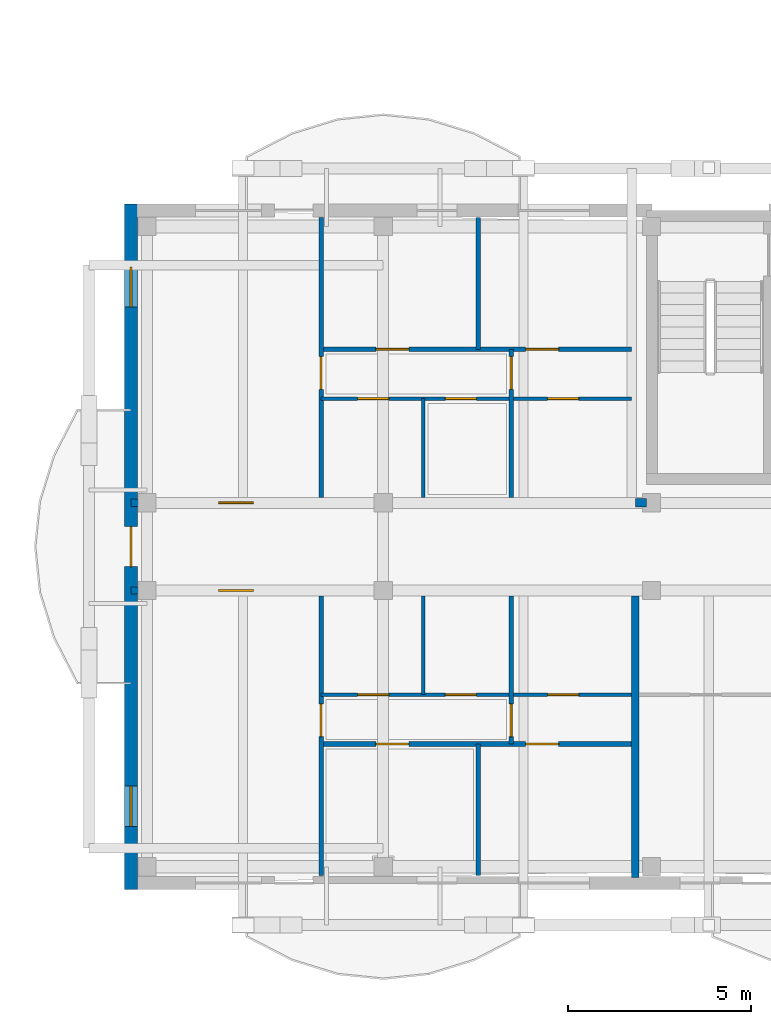
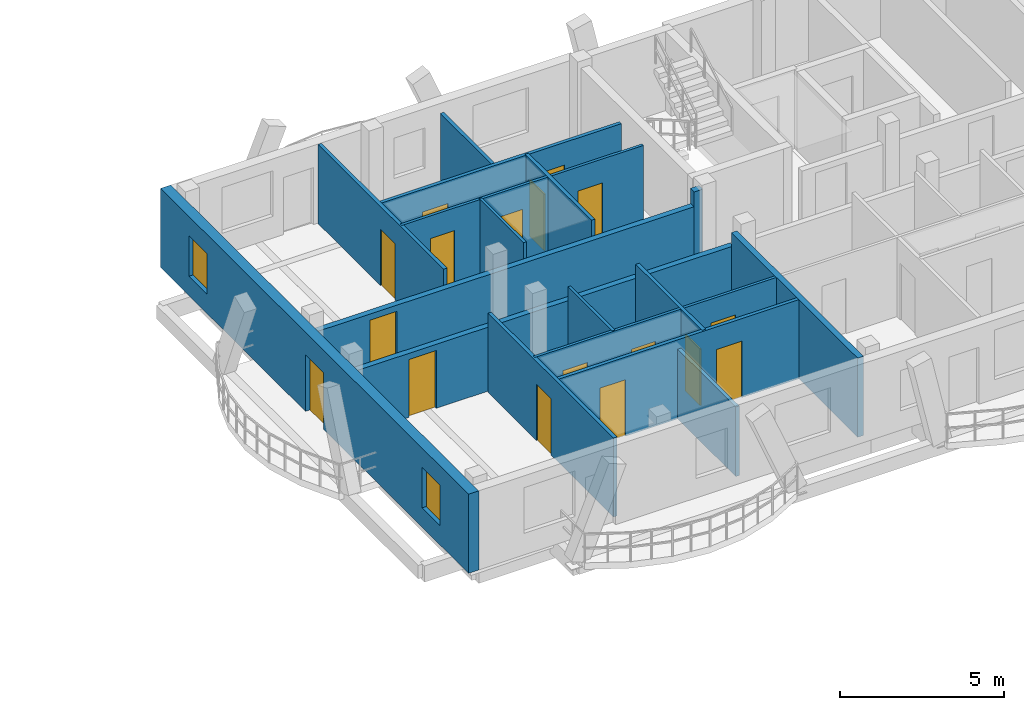
# One storey, part 22 of 50: 17 doors, 17 walls, 2 windows, 19 openings.
"""IFC4 building model written with IfcOpenShell, lengths in metres."""

from ifc_helpers import new_model, si_unit, direction, frame, frame_2d, origin, origin_with_axes, place, context, subcontext, project, spatial, rectangle, extrude, material, layer, layer_set, type_object, element, fill, save


model = new_model("IFC4")

# Units and contexts
model_context = context("Model", 3, precision=1e-05, world=origin(), true_north=direction((0.0, 1.0)))
body_context = subcontext(model_context, "Body", "Model", "MODEL_VIEW")
ifc_project = project(units=[si_unit("LENGTHUNIT", "METRE"), si_unit("AREAUNIT", "SQUARE_METRE"), si_unit("VOLUMEUNIT", "CUBIC_METRE"), si_unit("PLANEANGLEUNIT", "RADIAN"), si_unit("MASSUNIT", "GRAM", prefix="KILO")], contexts=[model_context])

# Site, building, storey
site_placement = place(None, origin())
site = spatial("IfcSite", under=ifc_project, at=site_placement, CompositionType="ELEMENT")
building_placement = place(site_placement, origin())
building = spatial("IfcBuilding", under=site, at=building_placement, Name="Zavelmont Quarter", CompositionType="ELEMENT")
storey_placement = place(building_placement, frame((0.0, 0.0, 11.199951171875)))
storey = spatial("IfcBuildingStorey", under=building, at=storey_placement, Name="L03", CompositionType="ELEMENT", Elevation=11.199951171875)

# Wall, openings, door, windows
ifc_material_1 = material(Name="Natural Belgian limestone", Category="masonry")
ifc_layer_1 = layer(ifc_material_1, 0.360107421875)
ifc_layer_set_1 = layer_set([ifc_layer_1], Name="Natural Belgian limestone")
wall_type_1 = type_object("IfcWallType", Name="EW02", PredefinedType="STANDARD", material=ifc_layer_set_1)
wall_1_placement = place(storey_placement, frame((112.800048828125, -0.179931640625, 0.0), z_axis=(0.0, 0.0, 1.0), x_axis=(0.0, 1.0, 0.0)))
wall_1 = element("IfcWall", 1, at=wall_1_placement, inside=storey, type_object=wall_type_1, Name="L03 exterior limestone wall EW02", PredefinedType="STANDARD", context=body_context, shape_type="SweptSolid", body=[
    extrude(rectangle(XDim=18.760009765625, YDim=0.360107421875, at=frame_2d((9.3798828125, 0.0))), origin(), (0.0, 0.0, 1.0), 2.93994140625),
])
opening_1_placement = place(wall_1_placement, frame((8.830078125, 0.0, 0.0)))
opening_1 = element("IfcOpeningElement", 2, at=opening_1_placement, cuts=wall_1, Name="Opening DR04B", PredefinedType="OPENING", context=body_context, shape_type="SweptSolid", body=[
    extrude(rectangle(XDim=1.10009765625, YDim=2.10009765625, at=frame_2d((0.550048828125, 1.050048828125))), frame((0.0, 0.19189453125, 0.0), z_axis=(0.0, -1.0, 0.0), x_axis=(1.0, 0.0, 0.0)), (0.0, 0.0, 1.0), 0.384033203125),
])
opening_2_placement = place(wall_1_placement, frame((1.72998046875, 0.0, 0.719970703125)))
opening_2 = element("IfcOpeningElement", 3, at=opening_2_placement, cuts=wall_1, Name="Opening WN09", PredefinedType="OPENING", context=body_context, shape_type="SweptSolid", body=[
    extrude(rectangle(XDim=1.10009765625, YDim=1.5, at=frame_2d((0.550048828125, 0.75))), frame((0.0, 0.19189453125, 0.0), z_axis=(0.0, -1.0, 0.0), x_axis=(1.0, 0.0, 0.0)), (0.0, 0.0, 1.0), 0.384033203125),
])
opening_3_placement = place(wall_1_placement, frame((15.929931640625, 0.0, 0.719970703125)))
opening_3 = element("IfcOpeningElement", 4, at=opening_3_placement, cuts=wall_1, Name="Opening WN09", PredefinedType="OPENING", context=body_context, shape_type="SweptSolid", body=[
    extrude(rectangle(XDim=1.10009765625, YDim=1.5, at=frame_2d((0.550048828125, 0.75))), frame((0.0, 0.19189453125, 0.0), z_axis=(0.0, -1.0, 0.0), x_axis=(1.0, 0.0, 0.0)), (0.0, 0.0, 1.0), 0.384033203125),
])
ifc_material_2 = material(Name="Thermally broken aluminium and double safety glass", Category="aluminium")
door_type_1 = type_object("IfcDoorType", Name="DR04B", OperationType="NOTDEFINED", PredefinedType="DOOR", material=ifc_material_2)
door_1_placement = place(opening_1_placement, frame((1.10009765625, 0.0, 0.0), z_axis=(0.0, 0.0, 1.0), x_axis=(-1.0, 0.0, 0.0)))
door_1 = element("IfcDoor", 5, at=door_1_placement, inside=storey, type_object=door_type_1, Name="Block D L03 terrace or vase balcony door", OperationType="SINGLE_SWING_RIGHT", OverallHeight=2.10009765625, OverallWidth=1.10009765625, PredefinedType="DOOR", context=body_context, shape_type="SweptSolid", body=[
    extrude(rectangle(XDim=1.10009765625, YDim=2.10009765625, at=frame_2d((0.550048828125, 1.050048828125))), frame((0.0, 0.02490234375, 0.0), z_axis=(0.0, -1.0, 0.0), x_axis=(1.0, 0.0, 0.0)), (0.0, 0.0, 1.0), 0.050048828125),
])
fill(opening_1, door_1)
ifc_material_3 = material(Name="Double low-E insulated glazing in thermally broken aluminium frame", Category="aluminium")
window_type = type_object("IfcWindowType", Name="WN09", PartitioningType="SINGLE_PANEL", PredefinedType="WINDOW", material=ifc_material_3)
window_1_placement = place(opening_2_placement, origin_with_axes())
window_1 = element("IfcWindow", 6, at=window_1_placement, inside=storey, type_object=window_type, Name="L03 window WN09", OverallHeight=1.5, OverallWidth=1.10009765625, PartitioningType="SINGLE_PANEL", PredefinedType="WINDOW", context=body_context, shape_type="SweptSolid", body=[
    extrude(rectangle(XDim=1.10009765625, YDim=1.5, at=frame_2d((0.550048828125, 0.75))), frame((0.0, 0.030029296875, 0.0), z_axis=(0.0, -1.0, 0.0), x_axis=(1.0, 0.0, 0.0)), (0.0, 0.0, 1.0), 0.06005859375),
])
fill(opening_2, window_1)
window_2_placement = place(opening_3_placement, origin_with_axes())
window_2 = element("IfcWindow", 7, at=window_2_placement, inside=storey, type_object=window_type, Name="L03 window WN09", OverallHeight=1.5, OverallWidth=1.10009765625, PartitioningType="SINGLE_PANEL", PredefinedType="WINDOW", context=body_context, shape_type="SweptSolid", body=[
    extrude(rectangle(XDim=1.10009765625, YDim=1.5, at=frame_2d((0.550048828125, 0.75))), frame((0.0, 0.030029296875, 0.0), z_axis=(0.0, -1.0, 0.0), x_axis=(1.0, 0.0, 0.0)), (0.0, 0.0, 1.0), 0.06005859375),
])
fill(opening_3, window_2)

# Wall
ifc_material_4 = material(Name="Calcium-silicate blockwork and acoustic plaster", Category="masonry")
ifc_layer_2 = layer(ifc_material_4, 0.199951171875)
ifc_layer_set_2 = layer_set([ifc_layer_2], Name="Calcium-silicate blockwork and acoustic plaster")
wall_type_2 = type_object("IfcWallType", Name="IW01", PredefinedType="PARTITIONING", material=ifc_layer_set_2)
wall_2_placement = place(storey_placement, frame((126.60009765625, 7.85009765625, 0.0), z_axis=(0.0, 0.0, 1.0), x_axis=(0.0, -1.0, 0.0)))
element("IfcWall", 8, at=wall_2_placement, inside=storey, type_object=wall_type_2, Name="L03 Inter-dwelling compartment wall IW01", PredefinedType="PARTITIONING", context=body_context, shape_type="SweptSolid", body=[
    extrude(rectangle(XDim=7.7001953125, YDim=0.199951171875, at=frame_2d((3.85009765625, 0.0))), origin(), (0.0, 0.0, 1.0), 2.93994140625),
])

# Wall, opening, door
wall_3_placement = place(storey_placement, frame((112.800048828125, 8.0, 0.0), z_axis=(0.0, 0.0, 1.0), x_axis=(1.0, 0.0, 0.0)))
wall_3 = element("IfcWall", 9, at=wall_3_placement, inside=storey, type_object=wall_type_2, Name="L03 Corridor compartment wall IW01", PredefinedType="PARTITIONING", context=body_context, shape_type="SweptSolid", body=[
    extrude(rectangle(XDim=13.800048828125, YDim=0.199951171875, at=frame_2d((6.89990234375, 0.0))), origin(), (0.0, 0.0, 1.0), 2.380126953125),
])
opening_4_placement = place(wall_3_placement, frame((2.39990234375, 0.0, 0.0)))
opening_4 = element("IfcOpeningElement", 10, at=opening_4_placement, cuts=wall_3, Name="Opening DR02", PredefinedType="OPENING", context=body_context, shape_type="SweptSolid", body=[
    extrude(rectangle(XDim=0.949951171875, YDim=2.14990234375, at=frame_2d((0.47509765625, 1.074951171875))), frame((0.0, 0.11181640625, 0.0), z_axis=(0.0, -1.0, 0.0), x_axis=(1.0, 0.0, 0.0)), (0.0, 0.0, 1.0), 0.223876953125),
])
ifc_material_5 = material(Name="Solid-core oak fire leaf in steel frame", Category="steel")
door_type_2 = type_object("IfcDoorType", Name="DR02", OperationType="NOTDEFINED", PredefinedType="DOOR", material=ifc_material_5)
door_2_placement = place(opening_4_placement, frame((0.949951171875, 0.0, 0.0), z_axis=(0.0, 0.0, 1.0), x_axis=(-1.0, 0.0, 0.0)))
door_2 = element("IfcDoor", 11, at=door_2_placement, inside=storey, type_object=door_type_2, Name="L03 door DR02", OperationType="SINGLE_SWING_LEFT", OverallHeight=2.14990234375, OverallWidth=0.949951171875, PredefinedType="DOOR", context=body_context, shape_type="SweptSolid", body=[
    extrude(rectangle(XDim=0.949951171875, YDim=2.14990234375, at=frame_2d((0.47509765625, 1.074951171875))), frame((0.0, 0.02490234375, 0.0), z_axis=(0.0, -1.0, 0.0), x_axis=(1.0, 0.0, 0.0)), (0.0, 0.0, 1.0), 0.050048828125),
])
fill(opening_4, door_2)

wall_4_placement = place(storey_placement, frame((112.800048828125, 10.39990234375, 0.0), z_axis=(0.0, 0.0, 1.0), x_axis=(1.0, 0.0, 0.0)))
wall_4 = element("IfcWall", 12, at=wall_4_placement, inside=storey, type_object=wall_type_2, Name="L03 Corridor compartment wall IW01", PredefinedType="PARTITIONING", context=body_context, shape_type="SweptSolid", body=[
    extrude(rectangle(XDim=13.800048828125, YDim=0.199951171875, at=frame_2d((6.89990234375, 0.0))), origin(), (0.0, 0.0, 1.0), 2.380126953125),
])
opening_5_placement = place(wall_4_placement, frame((2.39990234375, 0.0, 0.0)))
opening_5 = element("IfcOpeningElement", 13, at=opening_5_placement, cuts=wall_4, Name="Opening DR02", PredefinedType="OPENING", context=body_context, shape_type="SweptSolid", body=[
    extrude(rectangle(XDim=0.949951171875, YDim=2.14990234375, at=frame_2d((0.47509765625, 1.074951171875))), frame((0.0, 0.11181640625, 0.0), z_axis=(0.0, -1.0, 0.0), x_axis=(1.0, 0.0, 0.0)), (0.0, 0.0, 1.0), 0.223876953125),
])
door_3_placement = place(opening_5_placement, origin_with_axes())
door_3 = element("IfcDoor", 14, at=door_3_placement, inside=storey, type_object=door_type_2, Name="L03 door DR02", OperationType="SINGLE_SWING_RIGHT", OverallHeight=2.14990234375, OverallWidth=0.949951171875, PredefinedType="DOOR", context=body_context, shape_type="SweptSolid", body=[
    extrude(rectangle(XDim=0.949951171875, YDim=2.14990234375, at=frame_2d((0.47509765625, 1.074951171875))), frame((0.0, 0.02490234375, 0.0), z_axis=(0.0, -1.0, 0.0), x_axis=(1.0, 0.0, 0.0)), (0.0, 0.0, 1.0), 0.050048828125),
])
fill(opening_5, door_3)

# Wall
ifc_material_6 = material(Name="Reinforced masonry fire compartment wall", Category="masonry")
ifc_layer_3 = layer(ifc_material_6, 0.22509765625)
ifc_layer_set_3 = layer_set([ifc_layer_3], Name="Reinforced masonry fire compartment wall")
wall_type_3 = type_object("IfcWallType", Name="IW02", PredefinedType="PARTITIONING", material=ifc_layer_set_3)
wall_5_placement = place(storey_placement, frame((126.60009765625, 10.39990234375, 0.0), z_axis=(0.0, 0.0, 1.0), x_axis=(1.0, 0.0, 0.0)))
element("IfcWall", 15, at=wall_5_placement, inside=storey, type_object=wall_type_3, Name="L03 Core corridor wall IW02", PredefinedType="PARTITIONING", context=body_context, shape_type="SweptSolid", body=[
    extrude(rectangle(XDim=0.2998046875, YDim=0.22509765625, at=frame_2d((0.14990234375, 0.0))), origin(), (0.0, 0.0, 1.0), 2.93994140625),
])

# Wall, opening, door
ifc_material_7 = material(Name="Double gypsum board on acoustic steel stud", Category="steel")
ifc_layer_4 = layer(ifc_material_7, 0.125)
ifc_layer_set_4 = layer_set([ifc_layer_4], Name="Double gypsum board on acoustic steel stud")
wall_type_4 = type_object("IfcWallType", Name="IW03", PredefinedType="PARTITIONING", material=ifc_layer_set_4)
wall_6_placement = place(storey_placement, frame((118.0, 7.85009765625, 0.0), z_axis=(0.0, 0.0, 1.0), x_axis=(0.0, -1.0, 0.0)))
wall_6 = element("IfcWall", 16, at=wall_6_placement, inside=storey, type_object=wall_type_4, Name="L03 Partition IW03", PredefinedType="PARTITIONING", context=body_context, shape_type="SweptSolid", body=[
    extrude(rectangle(XDim=7.650146484375, YDim=0.125, at=frame_2d((3.8251953125, 0.0))), origin(), (0.0, 0.0, 1.0), 2.93994140625),
])
opening_6_placement = place(wall_6_placement, frame((2.949951171875, 0.0, 0.0)))
opening_6 = element("IfcOpeningElement", 17, at=opening_6_placement, cuts=wall_6, Name="Opening DR05", PredefinedType="OPENING", context=body_context, shape_type="SweptSolid", body=[
    extrude(rectangle(XDim=0.89990234375, YDim=2.10009765625, at=frame_2d((0.449951171875, 1.050048828125))), frame((0.0, 0.074462890625, 0.0), z_axis=(0.0, -1.0, 0.0), x_axis=(1.0, 0.0, 0.0)), (0.0, 0.0, 1.0), 0.14892578125),
])
ifc_material_8 = material(Name="Engineered oak flush interior door")
door_type_3 = type_object("IfcDoorType", Name="DR05", OperationType="NOTDEFINED", PredefinedType="DOOR", material=ifc_material_8)
door_4_placement = place(opening_6_placement, frame((0.89990234375, 0.0, 0.0), z_axis=(0.0, 0.0, 1.0), x_axis=(-1.0, 0.0, 0.0)))
door_4 = element("IfcDoor", 18, at=door_4_placement, inside=storey, type_object=door_type_3, Name="L03 door DR05", OperationType="SINGLE_SWING_LEFT", OverallHeight=2.10009765625, OverallWidth=0.89990234375, PredefinedType="DOOR", context=body_context, shape_type="SweptSolid", body=[
    extrude(rectangle(XDim=0.89990234375, YDim=2.10009765625, at=frame_2d((0.449951171875, 1.050048828125))), frame((0.0, 0.02490234375, 0.0), z_axis=(0.0, -1.0, 0.0), x_axis=(1.0, 0.0, 0.0)), (0.0, 0.0, 1.0), 0.050048828125),
])
fill(opening_6, door_4)

wall_7_placement = place(storey_placement, frame((123.199951171875, 7.85009765625, 0.0), z_axis=(0.0, 0.0, 1.0), x_axis=(0.0, -1.0, 0.0)))
wall_7 = element("IfcWall", 19, at=wall_7_placement, inside=storey, type_object=wall_type_4, Name="L03 Partition IW03", PredefinedType="PARTITIONING", context=body_context, shape_type="SweptSolid", body=[
    extrude(rectangle(XDim=4.050048828125, YDim=0.125, at=frame_2d((2.02490234375, 0.0))), origin(), (0.0, 0.0, 1.0), 2.93994140625),
])
opening_7_placement = place(wall_7_placement, frame((2.949951171875, 0.0, 0.0)))
opening_7 = element("IfcOpeningElement", 20, at=opening_7_placement, cuts=wall_7, Name="Opening DR05", PredefinedType="OPENING", context=body_context, shape_type="SweptSolid", body=[
    extrude(rectangle(XDim=0.89990234375, YDim=2.10009765625, at=frame_2d((0.449951171875, 1.050048828125))), frame((0.0, 0.074462890625, 0.0), z_axis=(0.0, -1.0, 0.0), x_axis=(1.0, 0.0, 0.0)), (0.0, 0.0, 1.0), 0.14892578125),
])
door_5_placement = place(opening_7_placement, origin_with_axes())
door_5 = element("IfcDoor", 21, at=door_5_placement, inside=storey, type_object=door_type_3, Name="L03 door DR05", OperationType="SINGLE_SWING_RIGHT", OverallHeight=2.10009765625, OverallWidth=0.89990234375, PredefinedType="DOOR", context=body_context, shape_type="SweptSolid", body=[
    extrude(rectangle(XDim=0.89990234375, YDim=2.10009765625, at=frame_2d((0.449951171875, 1.050048828125))), frame((0.0, 0.02490234375, 0.0), z_axis=(0.0, -1.0, 0.0), x_axis=(1.0, 0.0, 0.0)), (0.0, 0.0, 1.0), 0.050048828125),
])
fill(opening_7, door_5)

# Wall
wall_8_placement = place(storey_placement, frame((122.300048828125, 3.800048828125, 0.0), z_axis=(0.0, 0.0, 1.0), x_axis=(0.0, -1.0, 0.0)))
element("IfcWall", 22, at=wall_8_placement, inside=storey, type_object=wall_type_4, Name="L03 Partition IW03", PredefinedType="PARTITIONING", context=body_context, shape_type="SweptSolid", body=[
    extrude(rectangle(XDim=3.60009765625, YDim=0.125, at=frame_2d((1.800048828125, 0.0))), origin(), (0.0, 0.0, 1.0), 2.590087890625),
])

# Wall, openings, doors
wall_9_placement = place(storey_placement, frame((118.0, 3.800048828125, 0.0), z_axis=(0.0, 0.0, 1.0), x_axis=(1.0, 0.0, 0.0)))
wall_9 = element("IfcWall", 23, at=wall_9_placement, inside=storey, type_object=wall_type_4, Name="L03 Partition IW03", PredefinedType="PARTITIONING", context=body_context, shape_type="SweptSolid", body=[
    extrude(rectangle(XDim=8.5, YDim=0.125, at=frame_2d((4.25, 0.0))), origin(), (0.0, 0.0, 1.0), 2.93994140625),
])
opening_8_placement = place(wall_9_placement, frame((1.5, 0.0, 0.0)))
opening_8 = element("IfcOpeningElement", 24, at=opening_8_placement, cuts=wall_9, Name="Opening DR05", PredefinedType="OPENING", context=body_context, shape_type="SweptSolid", body=[
    extrude(rectangle(XDim=0.89990234375, YDim=2.10009765625, at=frame_2d((0.449951171875, 1.050048828125))), frame((0.0, 0.074462890625, 0.0), z_axis=(0.0, -1.0, 0.0), x_axis=(1.0, 0.0, 0.0)), (0.0, 0.0, 1.0), 0.14892578125),
])
opening_9_placement = place(wall_9_placement, frame((5.60009765625, 0.0, 0.0)))
opening_9 = element("IfcOpeningElement", 25, at=opening_9_placement, cuts=wall_9, Name="Opening DR05", PredefinedType="OPENING", context=body_context, shape_type="SweptSolid", body=[
    extrude(rectangle(XDim=0.89990234375, YDim=2.10009765625, at=frame_2d((0.449951171875, 1.050048828125))), frame((0.0, 0.074462890625, 0.0), z_axis=(0.0, -1.0, 0.0), x_axis=(1.0, 0.0, 0.0)), (0.0, 0.0, 1.0), 0.14892578125),
])
door_6_placement = place(opening_8_placement, origin_with_axes())
door_6 = element("IfcDoor", 26, at=door_6_placement, inside=storey, type_object=door_type_3, Name="L03 door DR05", OperationType="SINGLE_SWING_RIGHT", OverallHeight=2.10009765625, OverallWidth=0.89990234375, PredefinedType="DOOR", context=body_context, shape_type="SweptSolid", body=[
    extrude(rectangle(XDim=0.89990234375, YDim=2.10009765625, at=frame_2d((0.449951171875, 1.050048828125))), frame((0.0, 0.02490234375, 0.0), z_axis=(0.0, -1.0, 0.0), x_axis=(1.0, 0.0, 0.0)), (0.0, 0.0, 1.0), 0.050048828125),
])
fill(opening_8, door_6)
door_7_placement = place(opening_9_placement, frame((0.89990234375, 0.0, 0.0), z_axis=(0.0, 0.0, 1.0), x_axis=(-1.0, 0.0, 0.0)))
door_7 = element("IfcDoor", 27, at=door_7_placement, inside=storey, type_object=door_type_3, Name="L03 door DR05", OperationType="SINGLE_SWING_LEFT", OverallHeight=2.10009765625, OverallWidth=0.89990234375, PredefinedType="DOOR", context=body_context, shape_type="SweptSolid", body=[
    extrude(rectangle(XDim=0.89990234375, YDim=2.10009765625, at=frame_2d((0.449951171875, 1.050048828125))), frame((0.0, 0.02490234375, 0.0), z_axis=(0.0, -1.0, 0.0), x_axis=(1.0, 0.0, 0.0)), (0.0, 0.0, 1.0), 0.050048828125),
])
fill(opening_9, door_7)

# Wall, opening, door
wall_10_placement = place(storey_placement, frame((118.0, 10.550048828125, 0.0), z_axis=(0.0, 0.0, 1.0), x_axis=(0.0, 1.0, 0.0)))
wall_10 = element("IfcWall", 28, at=wall_10_placement, inside=storey, type_object=wall_type_4, Name="L03 Partition IW03", PredefinedType="PARTITIONING", context=body_context, shape_type="SweptSolid", body=[
    extrude(rectangle(XDim=7.64990234375, YDim=0.125, at=frame_2d((3.824951171875, 0.0))), origin(), (0.0, 0.0, 1.0), 2.93994140625),
])
opening_10_placement = place(wall_10_placement, frame((2.949951171875, 0.0, 0.0)))
opening_10 = element("IfcOpeningElement", 29, at=opening_10_placement, cuts=wall_10, Name="Opening DR05", PredefinedType="OPENING", context=body_context, shape_type="SweptSolid", body=[
    extrude(rectangle(XDim=0.89990234375, YDim=2.10009765625, at=frame_2d((0.449951171875, 1.050048828125))), frame((0.0, 0.074462890625, 0.0), z_axis=(0.0, -1.0, 0.0), x_axis=(1.0, 0.0, 0.0)), (0.0, 0.0, 1.0), 0.14892578125),
])
door_8_placement = place(opening_10_placement, origin_with_axes())
door_8 = element("IfcDoor", 30, at=door_8_placement, inside=storey, type_object=door_type_3, Name="L03 door DR05", OperationType="SINGLE_SWING_RIGHT", OverallHeight=2.10009765625, OverallWidth=0.89990234375, PredefinedType="DOOR", context=body_context, shape_type="SweptSolid", body=[
    extrude(rectangle(XDim=0.89990234375, YDim=2.10009765625, at=frame_2d((0.449951171875, 1.050048828125))), frame((0.0, 0.02490234375, 0.0), z_axis=(0.0, -1.0, 0.0), x_axis=(1.0, 0.0, 0.0)), (0.0, 0.0, 1.0), 0.050048828125),
])
fill(opening_10, door_8)

wall_11_placement = place(storey_placement, frame((123.199951171875, 10.550048828125, 0.0), z_axis=(0.0, 0.0, 1.0), x_axis=(0.0, 1.0, 0.0)))
wall_11 = element("IfcWall", 31, at=wall_11_placement, inside=storey, type_object=wall_type_4, Name="L03 Partition IW03", PredefinedType="PARTITIONING", context=body_context, shape_type="SweptSolid", body=[
    extrude(rectangle(XDim=4.050048828125, YDim=0.125, at=frame_2d((2.02490234375, 0.0))), origin(), (0.0, 0.0, 1.0), 2.93994140625),
])
opening_11_placement = place(wall_11_placement, frame((2.949951171875, 0.0, 0.0)))
opening_11 = element("IfcOpeningElement", 32, at=opening_11_placement, cuts=wall_11, Name="Opening DR05", PredefinedType="OPENING", context=body_context, shape_type="SweptSolid", body=[
    extrude(rectangle(XDim=0.89990234375, YDim=2.10009765625, at=frame_2d((0.449951171875, 1.050048828125))), frame((0.0, 0.074462890625, 0.0), z_axis=(0.0, -1.0, 0.0), x_axis=(1.0, 0.0, 0.0)), (0.0, 0.0, 1.0), 0.14892578125),
])
door_9_placement = place(opening_11_placement, frame((0.89990234375, 0.0, 0.0), z_axis=(0.0, 0.0, 1.0), x_axis=(-1.0, 0.0, 0.0)))
door_9 = element("IfcDoor", 33, at=door_9_placement, inside=storey, type_object=door_type_3, Name="L03 door DR05", OperationType="SINGLE_SWING_LEFT", OverallHeight=2.10009765625, OverallWidth=0.89990234375, PredefinedType="DOOR", context=body_context, shape_type="SweptSolid", body=[
    extrude(rectangle(XDim=0.89990234375, YDim=2.10009765625, at=frame_2d((0.449951171875, 1.050048828125))), frame((0.0, 0.02490234375, 0.0), z_axis=(0.0, -1.0, 0.0), x_axis=(1.0, 0.0, 0.0)), (0.0, 0.0, 1.0), 0.050048828125),
])
fill(opening_11, door_9)

# Wall
wall_12_placement = place(storey_placement, frame((122.300048828125, 14.60009765625, 0.0), z_axis=(0.0, 0.0, 1.0), x_axis=(0.0, 1.0, 0.0)))
element("IfcWall", 34, at=wall_12_placement, inside=storey, type_object=wall_type_4, Name="L03 Partition IW03", PredefinedType="PARTITIONING", context=body_context, shape_type="SweptSolid", body=[
    extrude(rectangle(XDim=3.599853515625, YDim=0.125, at=frame_2d((1.7998046875, 0.0))), origin(), (0.0, 0.0, 1.0), 2.590087890625),
])

# Wall, openings, doors
wall_13_placement = place(storey_placement, frame((118.0, 14.60009765625, 0.0), z_axis=(0.0, 0.0, 1.0), x_axis=(1.0, 0.0, 0.0)))
wall_13 = element("IfcWall", 35, at=wall_13_placement, inside=storey, type_object=wall_type_4, Name="L03 Partition IW03", PredefinedType="PARTITIONING", context=body_context, shape_type="SweptSolid", body=[
    extrude(rectangle(XDim=8.5, YDim=0.125, at=frame_2d((4.25, 0.0))), origin(), (0.0, 0.0, 1.0), 2.93994140625),
])
opening_12_placement = place(wall_13_placement, frame((1.5, 0.0, 0.0)))
opening_12 = element("IfcOpeningElement", 36, at=opening_12_placement, cuts=wall_13, Name="Opening DR05", PredefinedType="OPENING", context=body_context, shape_type="SweptSolid", body=[
    extrude(rectangle(XDim=0.89990234375, YDim=2.10009765625, at=frame_2d((0.449951171875, 1.050048828125))), frame((0.0, 0.074462890625, 0.0), z_axis=(0.0, -1.0, 0.0), x_axis=(1.0, 0.0, 0.0)), (0.0, 0.0, 1.0), 0.14892578125),
])
opening_13_placement = place(wall_13_placement, frame((5.60009765625, 0.0, 0.0)))
opening_13 = element("IfcOpeningElement", 37, at=opening_13_placement, cuts=wall_13, Name="Opening DR05", PredefinedType="OPENING", context=body_context, shape_type="SweptSolid", body=[
    extrude(rectangle(XDim=0.89990234375, YDim=2.10009765625, at=frame_2d((0.449951171875, 1.050048828125))), frame((0.0, 0.074462890625, 0.0), z_axis=(0.0, -1.0, 0.0), x_axis=(1.0, 0.0, 0.0)), (0.0, 0.0, 1.0), 0.14892578125),
])
door_10_placement = place(opening_12_placement, frame((0.89990234375, 0.0, 0.0), z_axis=(0.0, 0.0, 1.0), x_axis=(-1.0, 0.0, 0.0)))
door_10 = element("IfcDoor", 38, at=door_10_placement, inside=storey, type_object=door_type_3, Name="L03 door DR05", OperationType="SINGLE_SWING_LEFT", OverallHeight=2.10009765625, OverallWidth=0.89990234375, PredefinedType="DOOR", context=body_context, shape_type="SweptSolid", body=[
    extrude(rectangle(XDim=0.89990234375, YDim=2.10009765625, at=frame_2d((0.449951171875, 1.050048828125))), frame((0.0, 0.02490234375, 0.0), z_axis=(0.0, -1.0, 0.0), x_axis=(1.0, 0.0, 0.0)), (0.0, 0.0, 1.0), 0.050048828125),
])
fill(opening_12, door_10)
door_11_placement = place(opening_13_placement, origin_with_axes())
door_11 = element("IfcDoor", 39, at=door_11_placement, inside=storey, type_object=door_type_3, Name="L03 door DR05", OperationType="SINGLE_SWING_RIGHT", OverallHeight=2.10009765625, OverallWidth=0.89990234375, PredefinedType="DOOR", context=body_context, shape_type="SweptSolid", body=[
    extrude(rectangle(XDim=0.89990234375, YDim=2.10009765625, at=frame_2d((0.449951171875, 1.050048828125))), frame((0.0, 0.02490234375, 0.0), z_axis=(0.0, -1.0, 0.0), x_axis=(1.0, 0.0, 0.0)), (0.0, 0.0, 1.0), 0.050048828125),
])
fill(opening_13, door_11)

# Wall
ifc_material_9 = material(Name="Moisture-resistant gypsum board on steel stud", Category="steel")
ifc_layer_5 = layer(ifc_material_9, 0.10009765625)
ifc_layer_set_5 = layer_set([ifc_layer_5], Name="Moisture-resistant gypsum board on steel stud")
wall_type_5 = type_object("IfcWallType", Name="IW04", PredefinedType="PARTITIONING", material=ifc_layer_set_5)
wall_14_placement = place(storey_placement, frame((120.800048828125, 7.85009765625, 0.0), z_axis=(0.0, 0.0, 1.0), x_axis=(0.0, -1.0, 0.0)))
element("IfcWall", 40, at=wall_14_placement, inside=storey, type_object=wall_type_5, Name="L03 Partition IW04", PredefinedType="PARTITIONING", context=body_context, shape_type="SweptSolid", body=[
    extrude(rectangle(XDim=2.7001953125, YDim=0.10009765625, at=frame_2d((1.35009765625, 0.0))), origin(), (0.0, 0.0, 1.0), 2.93994140625),
])

# Wall, openings, doors
wall_15_placement = place(storey_placement, frame((118.0, 5.14990234375, 0.0), z_axis=(0.0, 0.0, 1.0), x_axis=(1.0, 0.0, 0.0)))
wall_15 = element("IfcWall", 41, at=wall_15_placement, inside=storey, type_object=wall_type_5, Name="L03 Partition IW04", PredefinedType="PARTITIONING", context=body_context, shape_type="SweptSolid", body=[
    extrude(rectangle(XDim=8.5, YDim=0.10009765625, at=frame_2d((4.25, 0.0))), origin(), (0.0, 0.0, 1.0), 2.93994140625),
])
opening_14_placement = place(wall_15_placement, frame((1.0, 0.0, 0.0)))
opening_14 = element("IfcOpeningElement", 42, at=opening_14_placement, cuts=wall_15, Name="Opening DR16", PredefinedType="OPENING", context=body_context, shape_type="SweptSolid", body=[
    extrude(rectangle(XDim=0.85009765625, YDim=2.10009765625, at=frame_2d((0.425048828125, 1.050048828125))), frame((0.0, 0.06201171875, 0.0), z_axis=(0.0, -1.0, 0.0), x_axis=(1.0, 0.0, 0.0)), (0.0, 0.0, 1.0), 0.1240234375),
])
opening_15_placement = place(wall_15_placement, frame((3.39990234375, 0.0, 0.0)))
opening_15 = element("IfcOpeningElement", 43, at=opening_15_placement, cuts=wall_15, Name="Opening DR06", PredefinedType="OPENING", context=body_context, shape_type="SweptSolid", body=[
    extrude(rectangle(XDim=0.85009765625, YDim=2.050048828125, at=frame_2d((0.425048828125, 1.02490234375))), frame((0.0, 0.06201171875, 0.0), z_axis=(0.0, -1.0, 0.0), x_axis=(1.0, 0.0, 0.0)), (0.0, 0.0, 1.0), 0.1240234375),
])
opening_16_placement = place(wall_15_placement, frame((6.199951171875, 0.0, 0.0)))
opening_16 = element("IfcOpeningElement", 44, at=opening_16_placement, cuts=wall_15, Name="Opening DR06", PredefinedType="OPENING", context=body_context, shape_type="SweptSolid", body=[
    extrude(rectangle(XDim=0.85009765625, YDim=2.050048828125, at=frame_2d((0.425048828125, 1.02490234375))), frame((0.0, 0.06201171875, 0.0), z_axis=(0.0, -1.0, 0.0), x_axis=(1.0, 0.0, 0.0)), (0.0, 0.0, 1.0), 0.1240234375),
])
ifc_material_10 = material(Name="Moisture-resistant painted wet-room door")
door_type_4 = type_object("IfcDoorType", Name="DR06", OperationType="NOTDEFINED", PredefinedType="DOOR", material=ifc_material_10)
door_12_placement = place(opening_15_placement, origin_with_axes())
door_12 = element("IfcDoor", 45, at=door_12_placement, inside=storey, type_object=door_type_4, Name="L03 door DR06", OperationType="SINGLE_SWING_RIGHT", OverallHeight=2.050048828125, OverallWidth=0.85009765625, PredefinedType="DOOR", context=body_context, shape_type="SweptSolid", body=[
    extrude(rectangle(XDim=0.85009765625, YDim=2.050048828125, at=frame_2d((0.425048828125, 1.02490234375))), frame((0.0, 0.02490234375, 0.0), z_axis=(0.0, -1.0, 0.0), x_axis=(1.0, 0.0, 0.0)), (0.0, 0.0, 1.0), 0.050048828125),
])
fill(opening_15, door_12)
door_13_placement = place(opening_16_placement, frame((0.85009765625, 0.0, 0.0), z_axis=(0.0, 0.0, 1.0), x_axis=(-1.0, 0.0, 0.0)))
door_13 = element("IfcDoor", 46, at=door_13_placement, inside=storey, type_object=door_type_4, Name="L03 door DR06", OperationType="SINGLE_SWING_LEFT", OverallHeight=2.050048828125, OverallWidth=0.85009765625, PredefinedType="DOOR", context=body_context, shape_type="SweptSolid", body=[
    extrude(rectangle(XDim=0.85009765625, YDim=2.050048828125, at=frame_2d((0.425048828125, 1.02490234375))), frame((0.0, 0.02490234375, 0.0), z_axis=(0.0, -1.0, 0.0), x_axis=(1.0, 0.0, 0.0)), (0.0, 0.0, 1.0), 0.050048828125),
])
fill(opening_16, door_13)
door_type_5 = type_object("IfcDoorType", Name="DR16", OperationType="NOTDEFINED", PredefinedType="DOOR", material=ifc_material_8)
door_14_placement = place(opening_14_placement, frame((0.85009765625, 0.0, 0.0), z_axis=(0.0, 0.0, 1.0), x_axis=(-1.0, 0.0, 0.0)))
door_14 = element("IfcDoor", 47, at=door_14_placement, inside=storey, type_object=door_type_5, Name="L03 door DR16", OperationType="SINGLE_SWING_LEFT", OverallHeight=2.10009765625, OverallWidth=0.85009765625, PredefinedType="DOOR", context=body_context, shape_type="SweptSolid", body=[
    extrude(rectangle(XDim=0.85009765625, YDim=2.10009765625, at=frame_2d((0.425048828125, 1.050048828125))), frame((0.0, 0.02490234375, 0.0), z_axis=(0.0, -1.0, 0.0), x_axis=(1.0, 0.0, 0.0)), (0.0, 0.0, 1.0), 0.050048828125),
])
fill(opening_14, door_14)

# Wall
wall_16_placement = place(storey_placement, frame((120.800048828125, 10.550048828125, 0.0), z_axis=(0.0, 0.0, 1.0), x_axis=(0.0, 1.0, 0.0)))
element("IfcWall", 48, at=wall_16_placement, inside=storey, type_object=wall_type_5, Name="L03 Partition IW04", PredefinedType="PARTITIONING", context=body_context, shape_type="SweptSolid", body=[
    extrude(rectangle(XDim=2.699951171875, YDim=0.10009765625, at=frame_2d((1.35009765625, 0.0))), origin(), (0.0, 0.0, 1.0), 2.93994140625),
])

# Wall, openings, doors
wall_17_placement = place(storey_placement, frame((118.0, 13.25, 0.0), z_axis=(0.0, 0.0, 1.0), x_axis=(1.0, 0.0, 0.0)))
wall_17 = element("IfcWall", 49, at=wall_17_placement, inside=storey, type_object=wall_type_5, Name="L03 Partition IW04", PredefinedType="PARTITIONING", context=body_context, shape_type="SweptSolid", body=[
    extrude(rectangle(XDim=8.5, YDim=0.10009765625, at=frame_2d((4.25, 0.0))), origin(), (0.0, 0.0, 1.0), 2.93994140625),
])
opening_17_placement = place(wall_17_placement, frame((1.0, 0.0, 0.0)))
opening_17 = element("IfcOpeningElement", 50, at=opening_17_placement, cuts=wall_17, Name="Opening DR16", PredefinedType="OPENING", context=body_context, shape_type="SweptSolid", body=[
    extrude(rectangle(XDim=0.85009765625, YDim=2.10009765625, at=frame_2d((0.425048828125, 1.050048828125))), frame((0.0, 0.06201171875, 0.0), z_axis=(0.0, -1.0, 0.0), x_axis=(1.0, 0.0, 0.0)), (0.0, 0.0, 1.0), 0.1240234375),
])
opening_18_placement = place(wall_17_placement, frame((3.39990234375, 0.0, 0.0)))
opening_18 = element("IfcOpeningElement", 51, at=opening_18_placement, cuts=wall_17, Name="Opening DR06", PredefinedType="OPENING", context=body_context, shape_type="SweptSolid", body=[
    extrude(rectangle(XDim=0.85009765625, YDim=2.050048828125, at=frame_2d((0.425048828125, 1.02490234375))), frame((0.0, 0.06201171875, 0.0), z_axis=(0.0, -1.0, 0.0), x_axis=(1.0, 0.0, 0.0)), (0.0, 0.0, 1.0), 0.1240234375),
])
opening_19_placement = place(wall_17_placement, frame((6.199951171875, 0.0, 0.0)))
opening_19 = element("IfcOpeningElement", 52, at=opening_19_placement, cuts=wall_17, Name="Opening DR06", PredefinedType="OPENING", context=body_context, shape_type="SweptSolid", body=[
    extrude(rectangle(XDim=0.85009765625, YDim=2.050048828125, at=frame_2d((0.425048828125, 1.02490234375))), frame((0.0, 0.06201171875, 0.0), z_axis=(0.0, -1.0, 0.0), x_axis=(1.0, 0.0, 0.0)), (0.0, 0.0, 1.0), 0.1240234375),
])
door_15_placement = place(opening_18_placement, frame((0.85009765625, 0.0, 0.0), z_axis=(0.0, 0.0, 1.0), x_axis=(-1.0, 0.0, 0.0)))
door_15 = element("IfcDoor", 53, at=door_15_placement, inside=storey, type_object=door_type_4, Name="L03 door DR06", OperationType="SINGLE_SWING_LEFT", OverallHeight=2.050048828125, OverallWidth=0.85009765625, PredefinedType="DOOR", context=body_context, shape_type="SweptSolid", body=[
    extrude(rectangle(XDim=0.85009765625, YDim=2.050048828125, at=frame_2d((0.425048828125, 1.02490234375))), frame((0.0, 0.02490234375, 0.0), z_axis=(0.0, -1.0, 0.0), x_axis=(1.0, 0.0, 0.0)), (0.0, 0.0, 1.0), 0.050048828125),
])
fill(opening_18, door_15)
door_16_placement = place(opening_19_placement, origin_with_axes())
door_16 = element("IfcDoor", 54, at=door_16_placement, inside=storey, type_object=door_type_4, Name="L03 door DR06", OperationType="SINGLE_SWING_RIGHT", OverallHeight=2.050048828125, OverallWidth=0.85009765625, PredefinedType="DOOR", context=body_context, shape_type="SweptSolid", body=[
    extrude(rectangle(XDim=0.85009765625, YDim=2.050048828125, at=frame_2d((0.425048828125, 1.02490234375))), frame((0.0, 0.02490234375, 0.0), z_axis=(0.0, -1.0, 0.0), x_axis=(1.0, 0.0, 0.0)), (0.0, 0.0, 1.0), 0.050048828125),
])
fill(opening_19, door_16)
door_17_placement = place(opening_17_placement, origin_with_axes())
door_17 = element("IfcDoor", 55, at=door_17_placement, inside=storey, type_object=door_type_5, Name="L03 door DR16", OperationType="SINGLE_SWING_RIGHT", OverallHeight=2.10009765625, OverallWidth=0.85009765625, PredefinedType="DOOR", context=body_context, shape_type="SweptSolid", body=[
    extrude(rectangle(XDim=0.85009765625, YDim=2.10009765625, at=frame_2d((0.425048828125, 1.050048828125))), frame((0.0, 0.02490234375, 0.0), z_axis=(0.0, -1.0, 0.0), x_axis=(1.0, 0.0, 0.0)), (0.0, 0.0, 1.0), 0.050048828125),
])
fill(opening_17, door_17)

save(model, "model.ifc")
